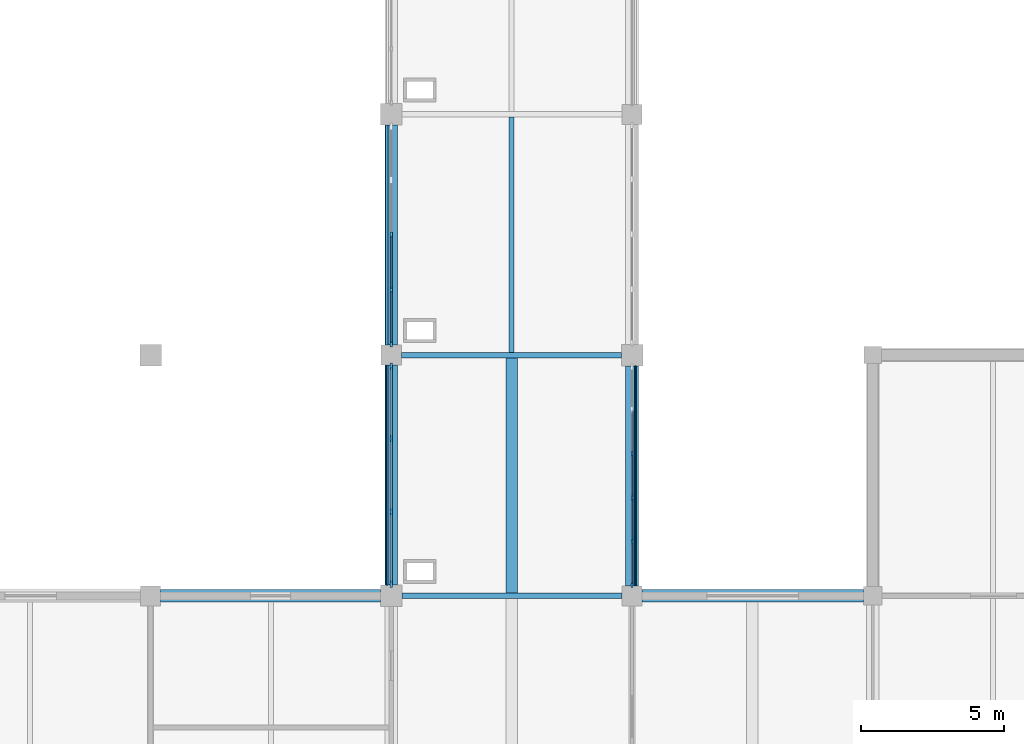
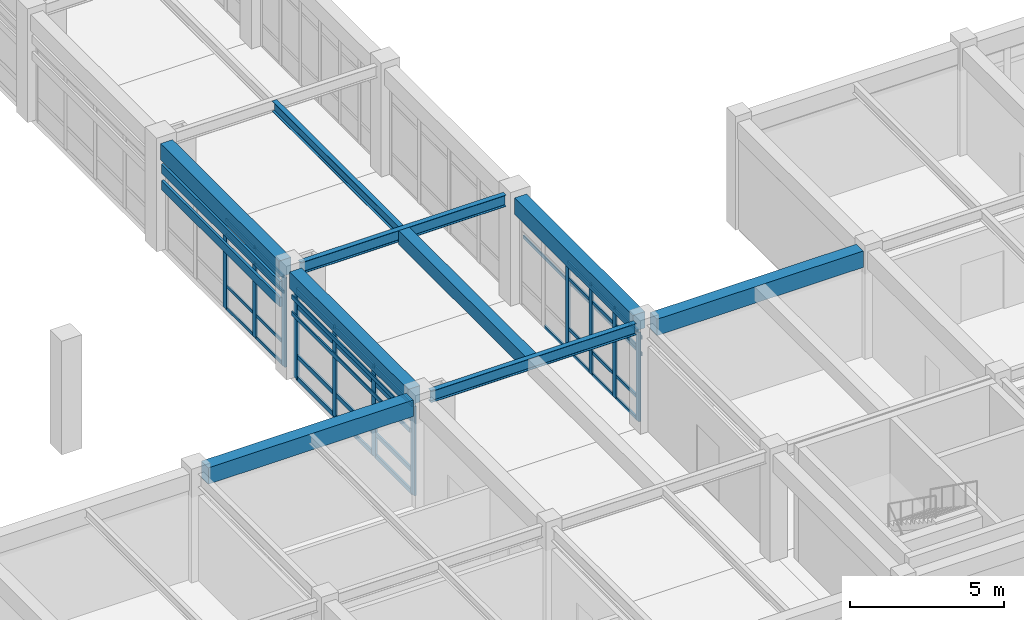
# One storey, part 11 of 78: 50 members, 9 beams, 3 elements without a shape of their own.
"""IFC4 building model written with IfcOpenShell, lengths in metres."""

from ifc_helpers import new_model, si_unit, direction, frame, origin, origin_2d, place, context, subcontext, project, spatial, rectangle, i_section, extrude, material, layer, layer_set, material_profile, profile_set, type_object, element, aggregate, save


model = new_model("IFC4")

# Units and contexts
model_context = context("Model", 3, precision=1e-05, world=origin(), true_north=direction((0.0, 1.0)))
body_context = subcontext(model_context, "Body", "Model", "MODEL_VIEW")
ifc_project = project(units=[si_unit("LENGTHUNIT", "METRE"), si_unit("AREAUNIT", "SQUARE_METRE"), si_unit("VOLUMEUNIT", "CUBIC_METRE"), si_unit("PLANEANGLEUNIT", "RADIAN"), si_unit("MASSUNIT", "GRAM", prefix="KILO")], contexts=[model_context])

# Site, building, storey
site_placement = place(None, origin())
site = spatial("IfcSite", under=ifc_project, at=site_placement, CompositionType="ELEMENT")
building_placement = place(site_placement, origin())
building = spatial("IfcBuilding", under=site, at=building_placement, Name="Porcellanite Civic Hall", CompositionType="ELEMENT")
storey_placement = place(building_placement, frame((0.0, 0.0, 10.260009765625)))
storey = spatial("IfcBuildingStorey", under=building, at=storey_placement, Name="L02", CompositionType="ELEMENT", Elevation=10.260009765625)

# Beams
ifc_material_1 = material(Name="Concrete N50 (50 MPa)", Category="concrete")
ifc_material_profile_1 = material_profile(ifc_material_1, rectangle(XDim=0.39990234375, YDim=0.550048828125, at=origin_2d()), Name="RC-400x550")
ifc_profile_set_1 = profile_set([ifc_material_profile_1], Name="Concrete N50 (50 MPa)")
beam_type_1 = type_object("IfcBeamType", Name="BM-RC550", PredefinedType="JOIST", material=ifc_profile_set_1)
beam_1_placement = place(storey_placement, frame((54.60009765625, 67.29443359375, 3.965087890625), z_axis=(0.0, 1.0, 0.0), x_axis=(-1.0, 0.0, 0.0)))
element("IfcBeam", 1, at=beam_1_placement, inside=storey, type_object=beam_type_1, Name="Secondary joist L02 7-9", PredefinedType="JOIST", context=body_context, shape_type="SweptSolid", body=[
    extrude(rectangle(XDim=0.39990234375, YDim=0.550048828125, at=origin_2d()), origin(), (0.0, 0.0, 1.0), 8.211181640625),
])
ifc_material_2 = material(Name="Concrete N50 (50 MPa)", Category="concrete")
ifc_material_profile_2 = material_profile(ifc_material_2, rectangle(XDim=0.449951171875, YDim=0.64990234375, at=origin_2d()), Name="RC-450x650")
ifc_profile_set_2 = profile_set([ifc_material_profile_2], Name="Concrete N50 (50 MPa)")
beam_type_2 = type_object("IfcBeamType", Name="BM-RC650", PredefinedType="SPANDREL", material=ifc_profile_set_2)
beam_2_placement = place(storey_placement, frame((42.349609375, 67.199951171875, 3.9150390625), z_axis=(1.0, 0.0, 0.0), x_axis=(0.0, 1.0, 0.0)))
element("IfcBeam", 2, at=beam_2_placement, inside=storey, type_object=beam_type_2, Name="Beam X L02 6-9", PredefinedType="SPANDREL", context=body_context, shape_type="SweptSolid", body=[
    extrude(rectangle(XDim=0.449951171875, YDim=0.64990234375, at=origin_2d()), origin(), (0.0, 0.0, 1.0), 7.67578125),
])
beam_3_placement = place(storey_placement, frame((59.1494140625, 67.199951171875, 3.9150390625), z_axis=(1.0, 0.0, 0.0), x_axis=(0.0, 1.0, 0.0)))
element("IfcBeam", 3, at=beam_3_placement, inside=storey, type_object=beam_type_2, Name="Beam X L02 8-9", PredefinedType="SPANDREL", context=body_context, shape_type="SweptSolid", body=[
    extrude(rectangle(XDim=0.449951171875, YDim=0.64990234375, at=origin_2d()), origin(), (0.0, 0.0, 1.0), 7.72607421875),
])
for number, where, z_axis, x_axis, name in (
    (4, (50.39990234375, 67.574462890625, 3.9150390625), (0.0, 1.0, 0.0), (-1.0, 0.0, 0.0), "Beam Y L02 7-9"),
    (5, (50.39990234375, 75.949462890625, 3.9150390625), (0.0, 1.0, 0.0), (-1.0, 0.0, 0.0), "Beam Y L02 7-10"),
    (6, (58.800048828125, 67.549560546875, 3.9150390625), (0.0, 1.0, 0.0), (-1.0, 0.0, 0.0), "Beam Y L02 8-9"),
):
    element("IfcBeam", number, at=place(storey_placement, frame(where, z_axis=z_axis, x_axis=x_axis)), inside=storey, type_object=beam_type_2, Name=name, PredefinedType="SPANDREL", context=body_context, shape_type="SweptSolid", body=[
        extrude(rectangle(XDim=0.449951171875, YDim=0.64990234375, at=origin_2d()), origin(), (0.0, 0.0, 1.0), 7.676025390625),
    ])

# Curtain wall, members
ifc_material_3 = material(Name="Anodised aluminium and solar laminated glass", Category="aluminium")
ifc_layer_1 = layer(ifc_material_3, 0.179931640625)
ifc_layer_set_1 = layer_set([ifc_layer_1], Name="Anodised aluminium and solar laminated glass")
curtain_wall_type_1 = type_object("IfcCurtainWallType", Name="CW-SYS08", PredefinedType="NOTDEFINED", material=ifc_layer_set_1)
curtain_wall_1_placement = place(storey_placement, origin())
curtain_wall_1 = element("IfcCurtainWall", 7, at=curtain_wall_1_placement, inside=storey, type_object=curtain_wall_type_1, Name="Curtain wall CW-142", PredefinedType="NOTDEFINED")
ifc_material_4 = material(Name="Anodised aluminium 6063-T6", Category="aluminium")
ifc_material_profile_3 = material_profile(ifc_material_4, rectangle(XDim=0.080078125, YDim=0.239990234375, at=origin_2d()), Name="AL-80x240")
ifc_profile_set_3 = profile_set([ifc_material_profile_3], Name="Anodised aluminium 6063-T6")
member_type_1 = type_object("IfcMemberType", Name="CWM-01", PredefinedType="MULLION", material=ifc_profile_set_3)
member_1_placement = place(storey_placement, frame((50.39990234375, 67.615966796875, 0.0), z_axis=(0.0, 0.0, 1.0), x_axis=(-1.0, 0.0, 0.0)))
member_1 = element("IfcMember", 8, at=member_1_placement, type_object=member_type_1, Name="CW-142 mullion 1", PredefinedType="MULLION", context=body_context, shape_type="SweptSolid", body=[
    extrude(rectangle(XDim=0.080078125, YDim=0.239990234375, at=origin_2d()), origin(), (0.0, 0.0, 1.0), 3.5400390625),
])
member_2_placement = place(storey_placement, frame((50.39990234375, 70.133544921875, 0.0), z_axis=(0.0, 0.0, 1.0), x_axis=(-1.0, 0.0, 0.0)))
member_2 = element("IfcMember", 9, at=member_2_placement, type_object=member_type_1, Name="CW-142 mullion 2", PredefinedType="MULLION", context=body_context, shape_type="SweptSolid", body=[
    extrude(rectangle(XDim=0.080078125, YDim=0.239990234375, at=origin_2d()), origin(), (0.0, 0.0, 1.0), 3.5400390625),
])
member_3_placement = place(storey_placement, frame((50.39990234375, 72.69140625, 0.0), z_axis=(0.0, 0.0, 1.0), x_axis=(-1.0, 0.0, 0.0)))
member_3 = element("IfcMember", 10, at=member_3_placement, type_object=member_type_1, Name="CW-142 mullion 3", PredefinedType="MULLION", context=body_context, shape_type="SweptSolid", body=[
    extrude(rectangle(XDim=0.080078125, YDim=0.239990234375, at=origin_2d()), origin(), (0.0, 0.0, 1.0), 3.5400390625),
])
member_4_placement = place(storey_placement, frame((50.39990234375, 75.208984375, 0.0), z_axis=(0.0, 0.0, 1.0), x_axis=(-1.0, 0.0, 0.0)))
member_4 = element("IfcMember", 11, at=member_4_placement, type_object=member_type_1, Name="CW-142 mullion 4", PredefinedType="MULLION", context=body_context, shape_type="SweptSolid", body=[
    extrude(rectangle(XDim=0.080078125, YDim=0.239990234375, at=origin_2d()), origin(), (0.0, 0.0, 1.0), 3.5400390625),
])

ifc_material_5 = material(Name="Anodised aluminium and solar laminated glass", Category="aluminium")
ifc_layer_2 = layer(ifc_material_5, 0.179931640625)
ifc_layer_set_2 = layer_set([ifc_layer_2], Name="Anodised aluminium and solar laminated glass")
curtain_wall_type_2 = type_object("IfcCurtainWallType", Name="CW-SYS03", PredefinedType="NOTDEFINED", material=ifc_layer_set_2)
curtain_wall_2_placement = place(storey_placement, origin())
curtain_wall_2 = element("IfcCurtainWall", 12, at=curtain_wall_2_placement, inside=storey, type_object=curtain_wall_type_2, Name="Curtain wall CW-144", PredefinedType="NOTDEFINED")
ifc_material_6 = material(Name="Anodised aluminium 6063-T6", Category="aluminium")
ifc_material_profile_4 = material_profile(ifc_material_6, rectangle(XDim=0.080078125, YDim=0.2099609375, at=origin_2d()), Name="AL-80x210")
ifc_profile_set_4 = profile_set([ifc_material_profile_4], Name="Anodised aluminium 6063-T6")
member_type_2 = type_object("IfcMemberType", Name="CWM-02", PredefinedType="MULLION", material=ifc_profile_set_4)
member_5_placement = place(storey_placement, frame((50.39990234375, 75.990966796875, 0.0), z_axis=(0.0, 0.0, 1.0), x_axis=(-1.0, 0.0, 0.0)))
member_5 = element("IfcMember", 13, at=member_5_placement, type_object=member_type_2, Name="CW-144 mullion 1", PredefinedType="MULLION", context=body_context, shape_type="SweptSolid", body=[
    extrude(rectangle(XDim=0.080078125, YDim=0.2099609375, at=origin_2d()), origin(), (0.0, 0.0, 1.0), 3.5400390625),
])
member_6_placement = place(storey_placement, frame((50.39990234375, 77.869140625, 0.0), z_axis=(0.0, 0.0, 1.0), x_axis=(-1.0, 0.0, 0.0)))
member_6 = element("IfcMember", 14, at=member_6_placement, type_object=member_type_2, Name="CW-144 mullion 2", PredefinedType="MULLION", context=body_context, shape_type="SweptSolid", body=[
    extrude(rectangle(XDim=0.080078125, YDim=0.2099609375, at=origin_2d()), origin(), (0.0, 0.0, 1.0), 3.5400390625),
])
member_7_placement = place(storey_placement, frame((50.39990234375, 79.78759765625, 0.0), z_axis=(0.0, 0.0, 1.0), x_axis=(-1.0, 0.0, 0.0)))
member_7 = element("IfcMember", 15, at=member_7_placement, type_object=member_type_2, Name="CW-144 mullion 3", PredefinedType="MULLION", context=body_context, shape_type="SweptSolid", body=[
    extrude(rectangle(XDim=0.080078125, YDim=0.2099609375, at=origin_2d()), origin(), (0.0, 0.0, 1.0), 3.5400390625),
])

ifc_material_7 = material(Name="Anodised aluminium and solar laminated glass", Category="aluminium")
ifc_layer_3 = layer(ifc_material_7, 0.179931640625)
ifc_layer_set_3 = layer_set([ifc_layer_3], Name="Anodised aluminium and solar laminated glass")
curtain_wall_type_3 = type_object("IfcCurtainWallType", Name="CW-SYS01", PredefinedType="NOTDEFINED", material=ifc_layer_set_3)
curtain_wall_3_placement = place(storey_placement, origin())
curtain_wall_3 = element("IfcCurtainWall", 16, at=curtain_wall_3_placement, inside=storey, type_object=curtain_wall_type_3, Name="Curtain wall CW-143", PredefinedType="NOTDEFINED")
ifc_material_8 = material(Name="Anodised aluminium 6063-T6", Category="aluminium")
ifc_material_profile_5 = material_profile(ifc_material_8, rectangle(XDim=0.070068359375, YDim=0.199951171875, at=origin_2d()), Name="AL-70x200")
ifc_profile_set_5 = profile_set([ifc_material_profile_5], Name="Anodised aluminium 6063-T6")
member_type_3 = type_object("IfcMemberType", Name="CWM-05", PredefinedType="MULLION", material=ifc_profile_set_5)
member_8_placement = place(storey_placement, frame((58.800048828125, 72.15478515625, 0.0), z_axis=(0.0, 0.0, 1.0), x_axis=(1.0, 0.0, 0.0)))
member_8 = element("IfcMember", 17, at=member_8_placement, type_object=member_type_3, Name="CW-143 mullion 3", PredefinedType="MULLION", context=body_context, shape_type="SweptSolid", body=[
    extrude(rectangle(XDim=0.070068359375, YDim=0.199951171875, at=origin_2d()), origin(), (0.0, 0.0, 1.0), 3.5400390625),
])
member_9_placement = place(storey_placement, frame((58.800048828125, 70.6201171875, 0.0), z_axis=(0.0, 0.0, 1.0), x_axis=(1.0, 0.0, 0.0)))
member_9 = element("IfcMember", 18, at=member_9_placement, type_object=member_type_3, Name="CW-143 mullion 4", PredefinedType="MULLION", context=body_context, shape_type="SweptSolid", body=[
    extrude(rectangle(XDim=0.070068359375, YDim=0.199951171875, at=origin_2d()), origin(), (0.0, 0.0, 1.0), 3.5400390625),
])
member_10_placement = place(storey_placement, frame((58.800048828125, 69.085693359375, 0.0), z_axis=(0.0, 0.0, 1.0), x_axis=(1.0, 0.0, 0.0)))
member_10 = element("IfcMember", 19, at=member_10_placement, type_object=member_type_3, Name="CW-143 mullion 5", PredefinedType="MULLION", context=body_context, shape_type="SweptSolid", body=[
    extrude(rectangle(XDim=0.070068359375, YDim=0.199951171875, at=origin_2d()), origin(), (0.0, 0.0, 1.0), 3.5400390625),
])
member_11_placement = place(storey_placement, frame((58.800048828125, 67.5859375, 0.0), z_axis=(0.0, 0.0, 1.0), x_axis=(1.0, 0.0, 0.0)))
member_11 = element("IfcMember", 20, at=member_11_placement, type_object=member_type_3, Name="CW-143 mullion 6", PredefinedType="MULLION", context=body_context, shape_type="SweptSolid", body=[
    extrude(rectangle(XDim=0.070068359375, YDim=0.199951171875, at=origin_2d()), origin(), (0.0, 0.0, 1.0), 3.5400390625),
])

# Member
ifc_material_9 = material(Name="Anodised aluminium 6063-T6", Category="aluminium")
ifc_material_profile_6 = material_profile(ifc_material_9, rectangle(XDim=0.070068359375, YDim=0.175048828125, at=origin_2d()), Name="AL-70x175")
ifc_profile_set_6 = profile_set([ifc_material_profile_6], Name="Anodised aluminium 6063-T6")
member_type_4 = type_object("IfcMemberType", Name="CWT-01", PredefinedType="USERDEFINED", material=ifc_profile_set_6)
member_12_placement = place(storey_placement, frame((50.39990234375, 67.656005859375, 0.034912109375), z_axis=(0.0, 1.0, 0.0), x_axis=(-1.0, 0.0, 0.0)))
member_12 = element("IfcMember", 21, at=member_12_placement, type_object=member_type_4, Name="CW-142 transom 1.1", ObjectType="TRANSOM", PredefinedType="USERDEFINED", context=body_context, shape_type="SweptSolid", body=[
    extrude(rectangle(XDim=0.070068359375, YDim=0.175048828125, at=origin_2d()), origin(), (0.0, 0.0, 1.0), 2.437744140625),
])

member_13_placement = place(storey_placement, frame((50.39990234375, 67.656005859375, 0.89990234375), z_axis=(0.0, 1.0, 0.0), x_axis=(-1.0, 0.0, 0.0)))
member_13 = element("IfcMember", 22, at=member_13_placement, type_object=member_type_4, Name="CW-142 transom 1.2", ObjectType="TRANSOM", PredefinedType="USERDEFINED", context=body_context, shape_type="SweptSolid", body=[
    extrude(rectangle(XDim=0.070068359375, YDim=0.175048828125, at=origin_2d()), origin(), (0.0, 0.0, 1.0), 2.437744140625),
])

member_14_placement = place(storey_placement, frame((50.39990234375, 67.656005859375, 2.889892578125), z_axis=(0.0, 1.0, 0.0), x_axis=(-1.0, 0.0, 0.0)))
member_14 = element("IfcMember", 23, at=member_14_placement, type_object=member_type_4, Name="CW-142 transom 1.3", ObjectType="TRANSOM", PredefinedType="USERDEFINED", context=body_context, shape_type="SweptSolid", body=[
    extrude(rectangle(XDim=0.070068359375, YDim=0.175048828125, at=origin_2d()), origin(), (0.0, 0.0, 1.0), 2.437744140625),
])

member_15_placement = place(storey_placement, frame((50.39990234375, 67.656005859375, 3.5048828125), z_axis=(0.0, 1.0, 0.0), x_axis=(-1.0, 0.0, 0.0)))
member_15 = element("IfcMember", 24, at=member_15_placement, type_object=member_type_4, Name="CW-142 transom 1.4", ObjectType="TRANSOM", PredefinedType="USERDEFINED", context=body_context, shape_type="SweptSolid", body=[
    extrude(rectangle(XDim=0.070068359375, YDim=0.175048828125, at=origin_2d()), origin(), (0.0, 0.0, 1.0), 2.437744140625),
])

member_16_placement = place(storey_placement, frame((50.39990234375, 70.173583984375, 0.034912109375), z_axis=(0.0, 1.0, 0.0), x_axis=(-1.0, 0.0, 0.0)))
member_16 = element("IfcMember", 25, at=member_16_placement, type_object=member_type_4, Name="CW-142 transom 2.1", ObjectType="TRANSOM", PredefinedType="USERDEFINED", context=body_context, shape_type="SweptSolid", body=[
    extrude(rectangle(XDim=0.070068359375, YDim=0.175048828125, at=origin_2d()), origin(), (0.0, 0.0, 1.0), 2.477783203125),
])

member_17_placement = place(storey_placement, frame((50.39990234375, 70.173583984375, 0.89990234375), z_axis=(0.0, 1.0, 0.0), x_axis=(-1.0, 0.0, 0.0)))
member_17 = element("IfcMember", 26, at=member_17_placement, type_object=member_type_4, Name="CW-142 transom 2.2", ObjectType="TRANSOM", PredefinedType="USERDEFINED", context=body_context, shape_type="SweptSolid", body=[
    extrude(rectangle(XDim=0.070068359375, YDim=0.175048828125, at=origin_2d()), origin(), (0.0, 0.0, 1.0), 2.477783203125),
])

member_18_placement = place(storey_placement, frame((50.39990234375, 70.173583984375, 2.889892578125), z_axis=(0.0, 1.0, 0.0), x_axis=(-1.0, 0.0, 0.0)))
member_18 = element("IfcMember", 27, at=member_18_placement, type_object=member_type_4, Name="CW-142 transom 2.3", ObjectType="TRANSOM", PredefinedType="USERDEFINED", context=body_context, shape_type="SweptSolid", body=[
    extrude(rectangle(XDim=0.070068359375, YDim=0.175048828125, at=origin_2d()), origin(), (0.0, 0.0, 1.0), 2.477783203125),
])

member_19_placement = place(storey_placement, frame((50.39990234375, 70.173583984375, 3.5048828125), z_axis=(0.0, 1.0, 0.0), x_axis=(-1.0, 0.0, 0.0)))
member_19 = element("IfcMember", 28, at=member_19_placement, type_object=member_type_4, Name="CW-142 transom 2.4", ObjectType="TRANSOM", PredefinedType="USERDEFINED", context=body_context, shape_type="SweptSolid", body=[
    extrude(rectangle(XDim=0.070068359375, YDim=0.175048828125, at=origin_2d()), origin(), (0.0, 0.0, 1.0), 2.477783203125),
])

member_20_placement = place(storey_placement, frame((50.39990234375, 72.7314453125, 0.034912109375), z_axis=(0.0, 1.0, 0.0), x_axis=(-1.0, 0.0, 0.0)))
member_20 = element("IfcMember", 29, at=member_20_placement, type_object=member_type_4, Name="CW-142 transom 3.1", ObjectType="TRANSOM", PredefinedType="USERDEFINED", context=body_context, shape_type="SweptSolid", body=[
    extrude(rectangle(XDim=0.070068359375, YDim=0.175048828125, at=origin_2d()), origin(), (0.0, 0.0, 1.0), 2.4375),
])

member_21_placement = place(storey_placement, frame((50.39990234375, 72.7314453125, 0.89990234375), z_axis=(0.0, 1.0, 0.0), x_axis=(-1.0, 0.0, 0.0)))
member_21 = element("IfcMember", 30, at=member_21_placement, type_object=member_type_4, Name="CW-142 transom 3.2", ObjectType="TRANSOM", PredefinedType="USERDEFINED", context=body_context, shape_type="SweptSolid", body=[
    extrude(rectangle(XDim=0.070068359375, YDim=0.175048828125, at=origin_2d()), origin(), (0.0, 0.0, 1.0), 2.4375),
])

member_22_placement = place(storey_placement, frame((50.39990234375, 72.7314453125, 2.889892578125), z_axis=(0.0, 1.0, 0.0), x_axis=(-1.0, 0.0, 0.0)))
member_22 = element("IfcMember", 31, at=member_22_placement, type_object=member_type_4, Name="CW-142 transom 3.3", ObjectType="TRANSOM", PredefinedType="USERDEFINED", context=body_context, shape_type="SweptSolid", body=[
    extrude(rectangle(XDim=0.070068359375, YDim=0.175048828125, at=origin_2d()), origin(), (0.0, 0.0, 1.0), 2.4375),
])

member_23_placement = place(storey_placement, frame((50.39990234375, 72.7314453125, 3.5048828125), z_axis=(0.0, 1.0, 0.0), x_axis=(-1.0, 0.0, 0.0)))
member_23 = element("IfcMember", 32, at=member_23_placement, type_object=member_type_4, Name="CW-142 transom 3.4", ObjectType="TRANSOM", PredefinedType="USERDEFINED", context=body_context, shape_type="SweptSolid", body=[
    extrude(rectangle(XDim=0.070068359375, YDim=0.175048828125, at=origin_2d()), origin(), (0.0, 0.0, 1.0), 2.4375),
])

aggregate(curtain_wall_1, [member_1, member_2, member_3, member_4, member_12, member_13, member_14, member_15, member_16, member_17, member_18, member_19, member_20, member_21, member_22, member_23])

ifc_material_10 = material(Name="Anodised aluminium 6063-T6", Category="aluminium")
ifc_material_profile_7 = material_profile(ifc_material_10, rectangle(XDim=0.06005859375, YDim=0.1298828125, at=origin_2d()), Name="AL-60x130")
ifc_profile_set_7 = profile_set([ifc_material_profile_7], Name="Anodised aluminium 6063-T6")
member_type_5 = type_object("IfcMemberType", Name="CWT-03", PredefinedType="USERDEFINED", material=ifc_profile_set_7)
member_24_placement = place(storey_placement, frame((58.800048828125, 73.654296875, 0.030029296875), z_axis=(0.0, -1.0, 0.0), x_axis=(1.0, 0.0, 0.0)))
member_24 = element("IfcMember", 33, at=member_24_placement, type_object=member_type_5, Name="CW-143 transom 2.1", ObjectType="TRANSOM", PredefinedType="USERDEFINED", context=body_context, shape_type="SweptSolid", body=[
    extrude(rectangle(XDim=0.06005859375, YDim=0.1298828125, at=origin_2d()), origin(), (0.0, 0.0, 1.0), 1.464599609375),
])

member_25_placement = place(storey_placement, frame((58.800048828125, 72.119873046875, 0.030029296875), z_axis=(0.0, -1.0, 0.0), x_axis=(1.0, 0.0, 0.0)))
member_25 = element("IfcMember", 34, at=member_25_placement, type_object=member_type_5, Name="CW-143 transom 3.1", ObjectType="TRANSOM", PredefinedType="USERDEFINED", context=body_context, shape_type="SweptSolid", body=[
    extrude(rectangle(XDim=0.06005859375, YDim=0.1298828125, at=origin_2d()), origin(), (0.0, 0.0, 1.0), 1.464599609375),
])

member_26_placement = place(storey_placement, frame((58.800048828125, 72.119873046875, 0.89990234375), z_axis=(0.0, -1.0, 0.0), x_axis=(1.0, 0.0, 0.0)))
member_26 = element("IfcMember", 35, at=member_26_placement, type_object=member_type_5, Name="CW-143 transom 3.2", ObjectType="TRANSOM", PredefinedType="USERDEFINED", context=body_context, shape_type="SweptSolid", body=[
    extrude(rectangle(XDim=0.06005859375, YDim=0.1298828125, at=origin_2d()), origin(), (0.0, 0.0, 1.0), 1.464599609375),
])

member_27_placement = place(storey_placement, frame((58.800048828125, 72.119873046875, 2.889892578125), z_axis=(0.0, -1.0, 0.0), x_axis=(1.0, 0.0, 0.0)))
member_27 = element("IfcMember", 36, at=member_27_placement, type_object=member_type_5, Name="CW-143 transom 3.3", ObjectType="TRANSOM", PredefinedType="USERDEFINED", context=body_context, shape_type="SweptSolid", body=[
    extrude(rectangle(XDim=0.06005859375, YDim=0.1298828125, at=origin_2d()), origin(), (0.0, 0.0, 1.0), 1.464599609375),
])

member_28_placement = place(storey_placement, frame((58.800048828125, 72.119873046875, 3.510009765625), z_axis=(0.0, -1.0, 0.0), x_axis=(1.0, 0.0, 0.0)))
member_28 = element("IfcMember", 37, at=member_28_placement, type_object=member_type_5, Name="CW-143 transom 3.4", ObjectType="TRANSOM", PredefinedType="USERDEFINED", context=body_context, shape_type="SweptSolid", body=[
    extrude(rectangle(XDim=0.06005859375, YDim=0.1298828125, at=origin_2d()), origin(), (0.0, 0.0, 1.0), 1.464599609375),
])

member_29_placement = place(storey_placement, frame((58.800048828125, 70.585205078125, 0.030029296875), z_axis=(0.0, -1.0, 0.0), x_axis=(1.0, 0.0, 0.0)))
member_29 = element("IfcMember", 38, at=member_29_placement, type_object=member_type_5, Name="CW-143 transom 4.1", ObjectType="TRANSOM", PredefinedType="USERDEFINED", context=body_context, shape_type="SweptSolid", body=[
    extrude(rectangle(XDim=0.06005859375, YDim=0.1298828125, at=origin_2d()), origin(), (0.0, 0.0, 1.0), 1.464599609375),
])

member_30_placement = place(storey_placement, frame((58.800048828125, 70.585205078125, 0.89990234375), z_axis=(0.0, -1.0, 0.0), x_axis=(1.0, 0.0, 0.0)))
member_30 = element("IfcMember", 39, at=member_30_placement, type_object=member_type_5, Name="CW-143 transom 4.2", ObjectType="TRANSOM", PredefinedType="USERDEFINED", context=body_context, shape_type="SweptSolid", body=[
    extrude(rectangle(XDim=0.06005859375, YDim=0.1298828125, at=origin_2d()), origin(), (0.0, 0.0, 1.0), 1.464599609375),
])

member_31_placement = place(storey_placement, frame((58.800048828125, 70.585205078125, 2.889892578125), z_axis=(0.0, -1.0, 0.0), x_axis=(1.0, 0.0, 0.0)))
member_31 = element("IfcMember", 40, at=member_31_placement, type_object=member_type_5, Name="CW-143 transom 4.3", ObjectType="TRANSOM", PredefinedType="USERDEFINED", context=body_context, shape_type="SweptSolid", body=[
    extrude(rectangle(XDim=0.06005859375, YDim=0.1298828125, at=origin_2d()), origin(), (0.0, 0.0, 1.0), 1.464599609375),
])

member_32_placement = place(storey_placement, frame((58.800048828125, 70.585205078125, 3.510009765625), z_axis=(0.0, -1.0, 0.0), x_axis=(1.0, 0.0, 0.0)))
member_32 = element("IfcMember", 41, at=member_32_placement, type_object=member_type_5, Name="CW-143 transom 4.4", ObjectType="TRANSOM", PredefinedType="USERDEFINED", context=body_context, shape_type="SweptSolid", body=[
    extrude(rectangle(XDim=0.06005859375, YDim=0.1298828125, at=origin_2d()), origin(), (0.0, 0.0, 1.0), 1.464599609375),
])

member_33_placement = place(storey_placement, frame((58.800048828125, 69.050537109375, 0.030029296875), z_axis=(0.0, -1.0, 0.0), x_axis=(1.0, 0.0, 0.0)))
member_33 = element("IfcMember", 42, at=member_33_placement, type_object=member_type_5, Name="CW-143 transom 5.1", ObjectType="TRANSOM", PredefinedType="USERDEFINED", context=body_context, shape_type="SweptSolid", body=[
    extrude(rectangle(XDim=0.06005859375, YDim=0.1298828125, at=origin_2d()), origin(), (0.0, 0.0, 1.0), 1.429443359375),
])

member_34_placement = place(storey_placement, frame((58.800048828125, 69.050537109375, 0.89990234375), z_axis=(0.0, -1.0, 0.0), x_axis=(1.0, 0.0, 0.0)))
member_34 = element("IfcMember", 43, at=member_34_placement, type_object=member_type_5, Name="CW-143 transom 5.2", ObjectType="TRANSOM", PredefinedType="USERDEFINED", context=body_context, shape_type="SweptSolid", body=[
    extrude(rectangle(XDim=0.06005859375, YDim=0.1298828125, at=origin_2d()), origin(), (0.0, 0.0, 1.0), 1.429443359375),
])

member_35_placement = place(storey_placement, frame((58.800048828125, 69.050537109375, 2.889892578125), z_axis=(0.0, -1.0, 0.0), x_axis=(1.0, 0.0, 0.0)))
member_35 = element("IfcMember", 44, at=member_35_placement, type_object=member_type_5, Name="CW-143 transom 5.3", ObjectType="TRANSOM", PredefinedType="USERDEFINED", context=body_context, shape_type="SweptSolid", body=[
    extrude(rectangle(XDim=0.06005859375, YDim=0.1298828125, at=origin_2d()), origin(), (0.0, 0.0, 1.0), 1.429443359375),
])

member_36_placement = place(storey_placement, frame((58.800048828125, 69.050537109375, 3.510009765625), z_axis=(0.0, -1.0, 0.0), x_axis=(1.0, 0.0, 0.0)))
member_36 = element("IfcMember", 45, at=member_36_placement, type_object=member_type_5, Name="CW-143 transom 5.4", ObjectType="TRANSOM", PredefinedType="USERDEFINED", context=body_context, shape_type="SweptSolid", body=[
    extrude(rectangle(XDim=0.06005859375, YDim=0.1298828125, at=origin_2d()), origin(), (0.0, 0.0, 1.0), 1.429443359375),
])

aggregate(curtain_wall_3, [member_8, member_9, member_10, member_11, member_24, member_25, member_26, member_27, member_28, member_29, member_30, member_31, member_32, member_33, member_34, member_35, member_36])

ifc_material_11 = material(Name="Anodised aluminium 6063-T6", Category="aluminium")
ifc_material_profile_8 = material_profile(ifc_material_11, rectangle(XDim=0.054931640625, YDim=0.1201171875, at=origin_2d()), Name="AL-55x120")
ifc_profile_set_8 = profile_set([ifc_material_profile_8], Name="Anodised aluminium 6063-T6")
member_type_6 = type_object("IfcMemberType", Name="CWT-04", PredefinedType="USERDEFINED", material=ifc_profile_set_8)
member_37_placement = place(storey_placement, frame((50.39990234375, 76.031005859375, 0.027587890625), z_axis=(0.0, 1.0, 0.0), x_axis=(-1.0, 0.0, 0.0)))
member_37 = element("IfcMember", 46, at=member_37_placement, type_object=member_type_6, Name="CW-144 transom 1.1", ObjectType="TRANSOM", PredefinedType="USERDEFINED", context=body_context, shape_type="SweptSolid", body=[
    extrude(rectangle(XDim=0.054931640625, YDim=0.1201171875, at=origin_2d()), origin(), (0.0, 0.0, 1.0), 1.79833984375),
])

member_38_placement = place(storey_placement, frame((50.39990234375, 76.031005859375, 0.89990234375), z_axis=(0.0, 1.0, 0.0), x_axis=(-1.0, 0.0, 0.0)))
member_38 = element("IfcMember", 47, at=member_38_placement, type_object=member_type_6, Name="CW-144 transom 1.2", ObjectType="TRANSOM", PredefinedType="USERDEFINED", context=body_context, shape_type="SweptSolid", body=[
    extrude(rectangle(XDim=0.054931640625, YDim=0.1201171875, at=origin_2d()), origin(), (0.0, 0.0, 1.0), 1.79833984375),
])

member_39_placement = place(storey_placement, frame((50.39990234375, 76.031005859375, 2.889892578125), z_axis=(0.0, 1.0, 0.0), x_axis=(-1.0, 0.0, 0.0)))
member_39 = element("IfcMember", 48, at=member_39_placement, type_object=member_type_6, Name="CW-144 transom 1.3", ObjectType="TRANSOM", PredefinedType="USERDEFINED", context=body_context, shape_type="SweptSolid", body=[
    extrude(rectangle(XDim=0.054931640625, YDim=0.1201171875, at=origin_2d()), origin(), (0.0, 0.0, 1.0), 1.79833984375),
])

member_40_placement = place(storey_placement, frame((50.39990234375, 76.031005859375, 3.512451171875), z_axis=(0.0, 1.0, 0.0), x_axis=(-1.0, 0.0, 0.0)))
member_40 = element("IfcMember", 49, at=member_40_placement, type_object=member_type_6, Name="CW-144 transom 1.4", ObjectType="TRANSOM", PredefinedType="USERDEFINED", context=body_context, shape_type="SweptSolid", body=[
    extrude(rectangle(XDim=0.054931640625, YDim=0.1201171875, at=origin_2d()), origin(), (0.0, 0.0, 1.0), 1.79833984375),
])

member_41_placement = place(storey_placement, frame((50.39990234375, 77.9091796875, 0.027587890625), z_axis=(0.0, 1.0, 0.0), x_axis=(-1.0, 0.0, 0.0)))
member_41 = element("IfcMember", 50, at=member_41_placement, type_object=member_type_6, Name="CW-144 transom 2.1", ObjectType="TRANSOM", PredefinedType="USERDEFINED", context=body_context, shape_type="SweptSolid", body=[
    extrude(rectangle(XDim=0.054931640625, YDim=0.1201171875, at=origin_2d()), origin(), (0.0, 0.0, 1.0), 1.83837890625),
])

member_42_placement = place(storey_placement, frame((50.39990234375, 77.9091796875, 0.89990234375), z_axis=(0.0, 1.0, 0.0), x_axis=(-1.0, 0.0, 0.0)))
member_42 = element("IfcMember", 51, at=member_42_placement, type_object=member_type_6, Name="CW-144 transom 2.2", ObjectType="TRANSOM", PredefinedType="USERDEFINED", context=body_context, shape_type="SweptSolid", body=[
    extrude(rectangle(XDim=0.054931640625, YDim=0.1201171875, at=origin_2d()), origin(), (0.0, 0.0, 1.0), 1.83837890625),
])

member_43_placement = place(storey_placement, frame((50.39990234375, 77.9091796875, 2.889892578125), z_axis=(0.0, 1.0, 0.0), x_axis=(-1.0, 0.0, 0.0)))
member_43 = element("IfcMember", 52, at=member_43_placement, type_object=member_type_6, Name="CW-144 transom 2.3", ObjectType="TRANSOM", PredefinedType="USERDEFINED", context=body_context, shape_type="SweptSolid", body=[
    extrude(rectangle(XDim=0.054931640625, YDim=0.1201171875, at=origin_2d()), origin(), (0.0, 0.0, 1.0), 1.83837890625),
])

member_44_placement = place(storey_placement, frame((50.39990234375, 77.9091796875, 3.512451171875), z_axis=(0.0, 1.0, 0.0), x_axis=(-1.0, 0.0, 0.0)))
member_44 = element("IfcMember", 53, at=member_44_placement, type_object=member_type_6, Name="CW-144 transom 2.4", ObjectType="TRANSOM", PredefinedType="USERDEFINED", context=body_context, shape_type="SweptSolid", body=[
    extrude(rectangle(XDim=0.054931640625, YDim=0.1201171875, at=origin_2d()), origin(), (0.0, 0.0, 1.0), 1.83837890625),
])

aggregate(curtain_wall_2, [member_5, member_6, member_7, member_37, member_38, member_39, member_40, member_41, member_42, member_43, member_44])

# Beam
ifc_material_12 = material(Name="Steel Grade 350", Category="steel")
ifc_material_profile_9 = material_profile(ifc_material_12, i_section(OverallWidth=0.177978515625, OverallDepth=0.406005859375, WebThickness=0.0078125, FlangeThickness=0.0126953125, FilletRadius=0.011474609375, at=origin_2d()), Name="410UB59.7")
ifc_profile_set_9 = profile_set([ifc_material_profile_9], Name="Steel Grade 350")
beam_type_3 = type_object("IfcBeamType", Name="JST-410UB60", PredefinedType="JOIST", material=ifc_profile_set_9)
beam_4_placement = place(storey_placement, frame((54.60009765625, 75.694580078125, 4.037109375), z_axis=(0.0, 1.0, 0.0), x_axis=(-1.0, 0.0, 0.0)))
element("IfcBeam", 54, at=beam_4_placement, inside=storey, type_object=beam_type_3, Name="Secondary joist L02 7-10", PredefinedType="JOIST", context=body_context, shape_type="SweptSolid", body=[
    extrude(i_section(OverallWidth=0.177978515625, OverallDepth=0.406005859375, WebThickness=0.0078125, FlangeThickness=0.0126953125, FilletRadius=0.011474609375, at=origin_2d()), origin(), (0.0, 0.0, 1.0), 8.2109375),
])

# Members
ifc_material_13 = material(Name="Fluoropolymer bauxite-red aluminium 6063-T6", Category="aluminium")
ifc_material_profile_10 = material_profile(ifc_material_13, rectangle(XDim=0.090087890625, YDim=0.360107421875, at=origin_2d()), Name="AL-90x360")
ifc_profile_set_10 = profile_set([ifc_material_profile_10], Name="Fluoropolymer bauxite-red aluminium 6063-T6")
member_type_7 = type_object("IfcMemberType", Name="LV-BLD01", PredefinedType="USERDEFINED", material=ifc_profile_set_10)
for number, where, z_axis, x_axis, name in (
    (55, (50.248046875, 75.949462890625, 3.239990234375), (0.0, 1.0, 0.0), (-1.0, 0.0, 0.0), "Cyclone sunshade louvre L02 W 6-9 1"),
    (56, (50.248046875, 75.949462890625, 2.590087890625), (0.0, 1.0, 0.0), (-1.0, 0.0, 0.0), "Cyclone sunshade louvre L02 W 6-9 2"),
):
    element("IfcMember", number, at=place(storey_placement, frame(where, z_axis=z_axis, x_axis=x_axis)), inside=storey, type_object=member_type_7, Name=name, ObjectType="LOUVRE BLADE", PredefinedType="USERDEFINED", context=body_context, shape_type="SweptSolid", body=[
        extrude(rectangle(XDim=0.090087890625, YDim=0.360107421875, at=origin_2d()), origin(), (0.0, 0.0, 1.0), 7.676025390625),
    ])
ifc_material_14 = material(Name="Fluoropolymer bauxite-red aluminium 6063-T6", Category="aluminium")
ifc_material_profile_11 = material_profile(ifc_material_14, rectangle(XDim=0.044921875, YDim=0.159912109375, at=origin_2d()), Name="AL-45x160")
ifc_profile_set_11 = profile_set([ifc_material_profile_11], Name="Fluoropolymer bauxite-red aluminium 6063-T6")
member_type_8 = type_object("IfcMemberType", Name="LV-BLD11", PredefinedType="USERDEFINED", material=ifc_profile_set_11)
for number, where, z_axis, x_axis, name in (
    (57, (50.255615234375, 67.574462890625, 3.239990234375), (0.0, 1.0, 0.0), (-1.0, 0.0, 0.0), "Cyclone sunshade louvre L02 W 6-8 1"),
    (58, (50.255615234375, 67.574462890625, 2.590087890625), (0.0, 1.0, 0.0), (-1.0, 0.0, 0.0), "Cyclone sunshade louvre L02 W 6-8 2"),
):
    element("IfcMember", number, at=place(storey_placement, frame(where, z_axis=z_axis, x_axis=x_axis)), inside=storey, type_object=member_type_8, Name=name, ObjectType="LOUVRE BLADE", PredefinedType="USERDEFINED", context=body_context, shape_type="SweptSolid", body=[
        extrude(rectangle(XDim=0.044921875, YDim=0.159912109375, at=origin_2d()), origin(), (0.0, 0.0, 1.0), 7.676025390625),
    ])
ifc_material_15 = material(Name="Fluoropolymer bauxite-red aluminium 6063-T6", Category="aluminium")
ifc_material_profile_12 = material_profile(ifc_material_15, rectangle(XDim=0.0400390625, YDim=0.139892578125, at=origin_2d()), Name="AL-40x140")
ifc_profile_set_12 = profile_set([ifc_material_profile_12], Name="Fluoropolymer bauxite-red aluminium 6063-T6")
member_type_9 = type_object("IfcMemberType", Name="LV-BLD12", PredefinedType="USERDEFINED", material=ifc_profile_set_12)
for number, where, z_axis, x_axis, name in (
    (59, (58.922119140625, 75.2255859375, 3.239990234375), (0.0, -1.0, 0.0), (1.0, 0.0, 0.0), "Cyclone sunshade louvre L02 E 6-8 1"),
    (60, (58.922119140625, 75.2255859375, 2.590087890625), (0.0, -1.0, 0.0), (1.0, 0.0, 0.0), "Cyclone sunshade louvre L02 E 6-8 2"),
):
    element("IfcMember", number, at=place(storey_placement, frame(where, z_axis=z_axis, x_axis=x_axis)), inside=storey, type_object=member_type_9, Name=name, ObjectType="LOUVRE BLADE", PredefinedType="USERDEFINED", context=body_context, shape_type="SweptSolid", body=[
        extrude(rectangle(XDim=0.0400390625, YDim=0.139892578125, at=origin_2d()), origin(), (0.0, 0.0, 1.0), 7.676025390625),
    ])

# Beams
ifc_material_16 = material(Name="Steel Grade 350", Category="steel")
ifc_material_profile_13 = material_profile(ifc_material_16, i_section(OverallWidth=0.18994140625, OverallDepth=0.4541015625, WebThickness=0.008544921875, FlangeThickness=0.0126953125, FilletRadius=0.011474609375, at=origin_2d()), Name="460UB67.1")
ifc_profile_set_13 = profile_set([ifc_material_profile_13], Name="Steel Grade 350")
beam_type_4 = type_object("IfcBeamType", Name="RAF-460UB67", PredefinedType="BEAM", material=ifc_profile_set_13)
for number, where, z_axis, x_axis, name in (
    (61, (50.7744140625, 67.199951171875, 4.012939453125), (1.0, 0.0, 0.0), (0.0, 1.0, 0.0), "Beam X L02 7-9"),
    (62, (50.74951171875, 75.60009765625, 4.012939453125), (1.0, 0.0, 0.0), (0.0, 1.0, 0.0), "Beam X L02 7-10"),
):
    element("IfcBeam", number, at=place(storey_placement, frame(where, z_axis=z_axis, x_axis=x_axis)), inside=storey, type_object=beam_type_4, Name=name, PredefinedType="BEAM", context=body_context, shape_type="SweptSolid", body=[
        extrude(i_section(OverallWidth=0.18994140625, OverallDepth=0.4541015625, WebThickness=0.008544921875, FlangeThickness=0.0126953125, FilletRadius=0.011474609375, at=origin_2d()), origin(), (0.0, 0.0, 1.0), 7.676025390625),
    ])

save(model, "model.ifc")
